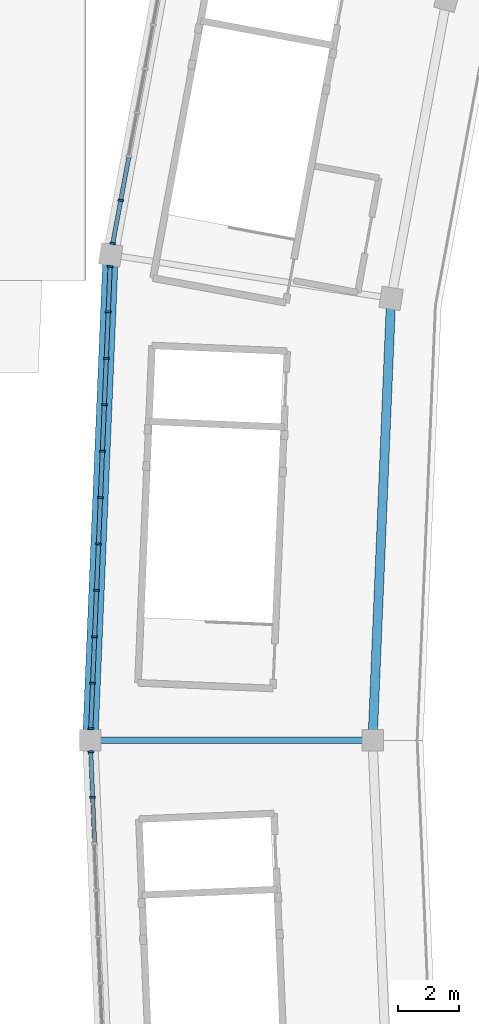
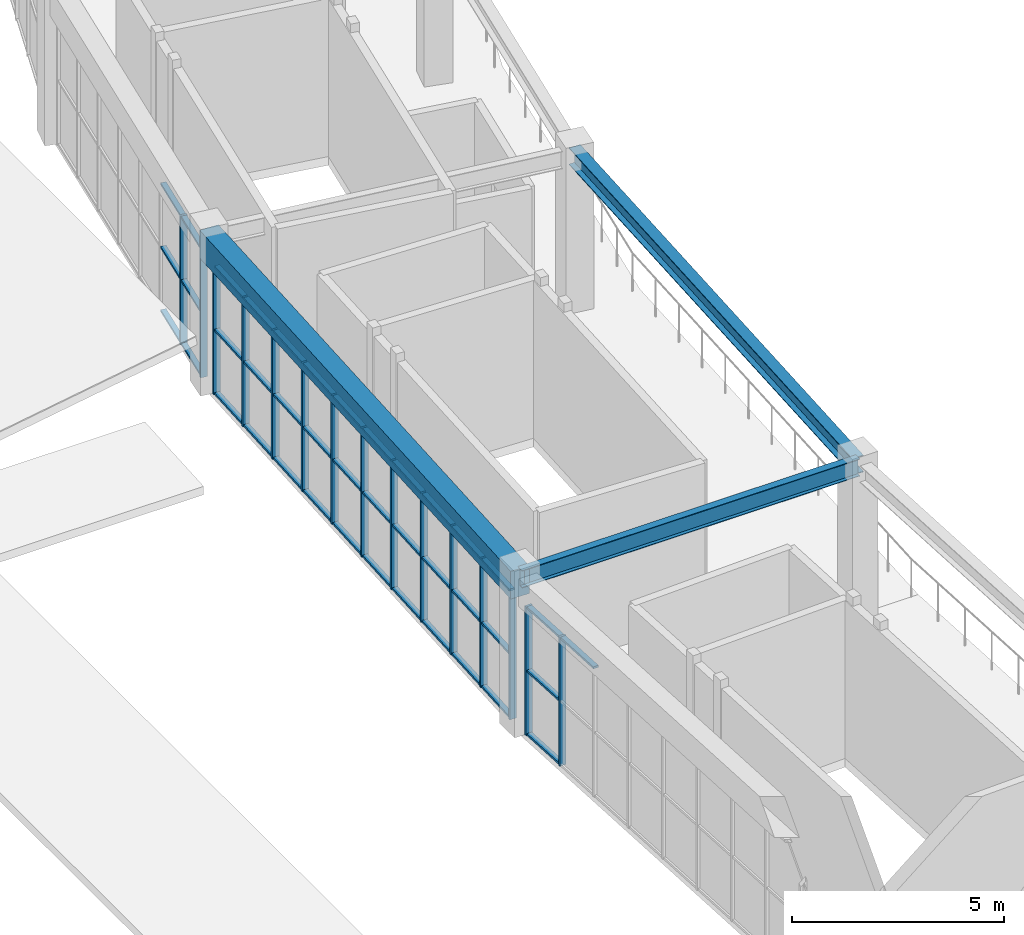
# One storey, part 20 of 45: 55 members, 3 beams, 3 elements without a shape of their own.
"""IFC4 building model written with IfcOpenShell, lengths in metres."""

import ifcopenshell
import ifcopenshell.guid

model = None  # the IFC model being written
_history = None  # IfcOwnerHistory: only IFC2X3 demands one
_inside = {}  # id of a spatial element -> (the spatial element, [elements in it])
_under = {}  # id of a project, library or spatial element -> (it, [spatial elements below it])
_declared = {}  # id of a project -> (the project, [libraries it declares])
_typed = {}  # id of a type object -> (the type object, [elements of that type])
_made_of = {}  # id of a material, layer set ... -> (it, [elements and type objects made of it])


def new_model(schema):
    """Start an empty IFC model of exactly this schema.

    Asked for "IFC4X3", IfcOpenShell would pick the latest addendum, in which some entities
    have other attributes; the version numbers below select the first issue.
    IFC2X3 requires an IfcOwnerHistory on every rooted entity: one is made here for all.
    """
    global model, _history
    if schema == "IFC4X3":
        model = ifcopenshell.file(schema_version=(4, 3, 0, 0))
    else:
        model = ifcopenshell.file(schema=schema)
    _inside.clear()
    _under.clear()
    _declared.clear()
    _typed.clear()
    _made_of.clear()
    _history = None
    if model.schema == "IFC2X3":
        org = make("IfcOrganization", Name="unknown")
        user = make(
            "IfcPersonAndOrganization",
            ThePerson=make("IfcPerson", FamilyName="unknown"),
            TheOrganization=org,
        )
        app = make(
            "IfcApplication",
            ApplicationDeveloper=org,
            Version="unknown",
            ApplicationFullName="unknown",
            ApplicationIdentifier="unknown",
        )
        _history = make(
            "IfcOwnerHistory",
            OwningUser=user,
            OwningApplication=app,
            ChangeAction="ADDED",
            CreationDate=0,
        )
    return model


def make(cls, **values):
    """One entity of the class cls with the attributes given. An attribute that is None is left unset."""
    return model.create_entity(
        cls, **{name: value for name, value in values.items() if value is not None}
    )


def rooted(cls, **values):
    """An entity with a GlobalId (a new one), such as an element, a storey or a relation."""
    return make(cls, GlobalId=ifcopenshell.guid.new(), OwnerHistory=_history, **values)


def si_unit(unit_type, name, prefix=None):
    """IfcSIUnit, for example si_unit("LENGTHUNIT", "METRE", prefix="MILLI")."""
    return make("IfcSIUnit", UnitType=unit_type, Prefix=prefix, Name=name)


def assignment(units):
    """IfcUnitAssignment: the units of a project."""
    return None if units is None else make("IfcUnitAssignment", Units=units)


def point(xyz):
    """IfcCartesianPoint."""
    return None if xyz is None else make("IfcCartesianPoint", Coordinates=xyz)


def direction(xyz):
    """IfcDirection."""
    return None if xyz is None else make("IfcDirection", DirectionRatios=xyz)


def frame(location, z_axis=None, x_axis=None):
    """IfcAxis2Placement3D, a coordinate frame: its origin and axes. An axis left out is left unset."""
    return make(
        "IfcAxis2Placement3D",
        Location=point(location),
        Axis=direction(z_axis),
        RefDirection=direction(x_axis),
    )


def frame_2d(location, x_axis=None):
    """IfcAxis2Placement2D, a coordinate frame in the plane: its origin and x axis."""
    return make(
        "IfcAxis2Placement2D", Location=point(location), RefDirection=direction(x_axis)
    )


def origin():
    """The frame at (0, 0, 0) with its axes left unset."""
    return frame((0.0, 0.0, 0.0))


def origin_2d():
    """The frame at (0, 0) in the plane with its x axis left unset."""
    return frame_2d((0.0, 0.0))


def place(relative_to, where):
    """IfcLocalPlacement: puts the frame where relative to a parent placement (None: the world)."""
    return make(
        "IfcLocalPlacement", PlacementRelTo=relative_to, RelativePlacement=where
    )


def context(
    kind, dimensions, precision=None, world=None, true_north=None, identifier=None
):
    """IfcGeometricRepresentationContext, for example the 3D "Model" context."""
    return make(
        "IfcGeometricRepresentationContext",
        ContextIdentifier=identifier,
        ContextType=kind,
        CoordinateSpaceDimension=dimensions,
        Precision=precision,
        WorldCoordinateSystem=world,
        TrueNorth=true_north,
    )


def subcontext(parent, identifier, kind, view, scale=None):
    """IfcGeometricRepresentationSubContext, for example "Body" below "Model"."""
    return make(
        "IfcGeometricRepresentationSubContext",
        ContextIdentifier=identifier,
        ContextType=kind,
        ParentContext=parent,
        TargetScale=scale,
        TargetView=view,
    )


def project(units=None, contexts=None):
    """IfcProject with its units and contexts."""
    return rooted(
        "IfcProject",
        Name="project",
        RepresentationContexts=contexts,
        UnitsInContext=assignment(units),
    )


def spatial(cls, under=None, at=None, **own):
    """A site, building, storey or space (cls), placed at a placement, below another one or the project."""
    s = rooted(cls, ObjectPlacement=at, **own)
    if under is not None:
        _under.setdefault(under.id(), (under, []))[1].append(s)
    return s


def profile(cls, at=None, kind="AREA", **sizes):
    """A parametric profile (cls). Its sizes go by their IFC names, for example OverallWidth=200.0."""
    return make(cls, ProfileType=kind, Position=at, **sizes)


def rectangle(**sizes):
    """IfcRectangleProfileDef."""
    return profile("IfcRectangleProfileDef", **sizes)


def i_section(**sizes):
    """IfcIShapeProfileDef."""
    return profile("IfcIShapeProfileDef", **sizes)


def extrude(swept, where, along, depth):
    """IfcExtrudedAreaSolid: the profile swept, set in the frame where, extruded along a direction by depth."""
    return make(
        "IfcExtrudedAreaSolid",
        SweptArea=swept,
        Position=where,
        ExtrudedDirection=direction(along),
        Depth=depth,
    )


def shape(context_of_items, identifier, shape_type, items):
    """IfcShapeRepresentation: the items that make up one representation, for example the "Body"."""
    return make(
        "IfcShapeRepresentation",
        ContextOfItems=context_of_items,
        RepresentationIdentifier=identifier,
        RepresentationType=shape_type,
        Items=items,
    )


def material(Name=None, Category=None):
    """IfcMaterial."""
    return make("IfcMaterial", Name=Name, Category=Category)


def layer(
    of_material, thickness, ventilated=None, Name=None, Category=None, Priority=None
):
    """IfcMaterialLayer: one layer of a wall or slab, of a material (None: an air gap)."""
    return make(
        "IfcMaterialLayer",
        Material=of_material,
        LayerThickness=thickness,
        IsVentilated=ventilated,
        Name=Name,
        Category=Category,
        Priority=Priority,
    )


def layer_set(layers, Name=None):
    """IfcMaterialLayerSet."""
    return make("IfcMaterialLayerSet", MaterialLayers=layers, LayerSetName=Name)


def material_profile(
    of_material, cross_section, Name=None, Category=None, Priority=None
):
    """IfcMaterialProfile: a cross section and its material."""
    return make(
        "IfcMaterialProfile",
        Name=Name,
        Material=of_material,
        Profile=cross_section,
        Priority=Priority,
        Category=Category,
    )


def profile_set(profiles, Name=None, composite=None):
    """IfcMaterialProfileSet."""
    return make(
        "IfcMaterialProfileSet",
        Name=Name,
        MaterialProfiles=profiles,
        CompositeProfile=composite,
    )


def made_of(thing, what):
    """Note that an element or type object is made of a material, layer set ...; save() writes the relation."""
    if what is not None:
        _made_of.setdefault(what.id(), (what, []))[1].append(thing)
    return thing


def type_object(cls, material=None, **own):
    """A type object (cls), such as IfcWallType, which elements share."""
    return made_of(rooted(cls, **own), material)


def element(
    cls,
    number,
    at=None,
    inside=None,
    cuts=None,
    type_object=None,
    material=None,
    context=None,
    identifier="Body",
    shape_type=None,
    held_by="IfcProductDefinitionShape",
    body=None,
    shapes=None,
    **own,
):
    """One element of the class cls, such as IfcWall. Its Tag is "e" and its number.

    at: its placement. inside: the storey or other place that contains it. cuts: it is an
    opening in that element (IfcRelVoidsElement). A single representation is given by context,
    identifier, shape_type and body (its items); several are given by shapes. held_by: the class
    of the entity that holds the representations. save() writes the other relations.
    """
    e = rooted(cls, Tag="e%d" % number, ObjectPlacement=at, **own)
    if body is not None:
        shapes = [shape(context, identifier, shape_type, body)]
    if shapes is not None:
        e.Representation = make(held_by, Representations=shapes)
    if inside is not None:
        _inside.setdefault(inside.id(), (inside, []))[1].append(e)
    if cuts is not None:
        rooted(
            "IfcRelVoidsElement", RelatingBuildingElement=cuts, RelatedOpeningElement=e
        )
    if type_object is not None:
        _typed.setdefault(type_object.id(), (type_object, []))[1].append(e)
    return made_of(e, material)


def aggregate(whole, parts):
    """IfcRelAggregates: a whole, such as a stair, and the parts it consists of."""
    return rooted("IfcRelAggregates", RelatingObject=whole, RelatedObjects=parts)


def save(model, path):
    """Write the relations noted so far, then the file.

    IfcRelAggregates (storeys below a building ...), IfcRelContainedInSpatialStructure (elements
    in a storey), IfcRelDefinesByType, IfcRelAssociatesMaterial and IfcRelDeclares: one each for
    every whole, place, type object, material and project.
    """
    for whole, parts in _under.values():
        aggregate(whole, parts)
    for where, things in _inside.values():
        rooted(
            "IfcRelContainedInSpatialStructure",
            RelatedElements=things,
            RelatingStructure=where,
        )
    for kind, things in _typed.values():
        rooted("IfcRelDefinesByType", RelatedObjects=things, RelatingType=kind)
    for what, things in _made_of.values():
        rooted("IfcRelAssociatesMaterial", RelatedObjects=things, RelatingMaterial=what)
    for by, libraries in _declared.values():
        rooted("IfcRelDeclares", RelatingContext=by, RelatedDefinitions=libraries)
    model.write(path)


model = new_model("IFC4")

# Units and contexts
model_context = context("Model", 3, precision=1e-05, world=origin(), true_north=direction((0.0, 1.0)))
body_context = subcontext(model_context, "Body", "Model", "MODEL_VIEW")
ifc_project = project(units=[si_unit("LENGTHUNIT", "METRE"), si_unit("AREAUNIT", "SQUARE_METRE"), si_unit("VOLUMEUNIT", "CUBIC_METRE"), si_unit("PLANEANGLEUNIT", "RADIAN"), si_unit("MASSUNIT", "GRAM", prefix="KILO")], contexts=[model_context])

# Site, building, storey
site_placement = place(None, origin())
site = spatial("IfcSite", under=ifc_project, at=site_placement, CompositionType="ELEMENT")
building_placement = place(site_placement, origin())
building = spatial("IfcBuilding", under=site, at=building_placement, Name="Mphavela Belvedere Stadium", CompositionType="ELEMENT")
storey_placement = place(building_placement, frame((0.0, 0.0, 24.0)))
storey = spatial("IfcBuildingStorey", under=building, at=storey_placement, Name="L05", CompositionType="ELEMENT", Elevation=24.0)

# Beams
ifc_material_1 = material(Name="Concrete C40/50", Category="concrete")
ifc_material_profile_1 = material_profile(ifc_material_1, rectangle(XDim=0.5, YDim=0.800048828125, at=origin_2d()), Name="RC 500x800")
ifc_profile_set_1 = profile_set([ifc_material_profile_1], Name="Concrete C40/50")
beam_type_1 = type_object("IfcBeamType", Name="BM-SPANDREL-800", PredefinedType="SPANDREL", material=ifc_profile_set_1)
beam_1_placement = place(storey_placement, frame((12.844482421875, 102.844970703125, 4.14990234375), z_axis=(-0.041903963155, -0.999121643181, 0.0), x_axis=(0.999121643181, -0.041903963155, 0.0)))
element("IfcBeam", 1, at=beam_1_placement, inside=storey, type_object=beam_type_1, Name="Circumferential girder L05 R4-24", PredefinedType="SPANDREL", context=body_context, shape_type="SweptSolid", body=[
    extrude(rectangle(XDim=0.5, YDim=0.800048828125, at=origin_2d()), origin(), (0.0, 0.0, 1.0), 15.85888671875),
])
ifc_material_2 = material(Name="Steel S355", Category="steel")
ifc_material_profile_2 = material_profile(ifc_material_2, i_section(OverallWidth=0.300048828125, OverallDepth=0.489990234375, WebThickness=0.011962890625, FlangeThickness=0.02294921875, at=origin_2d()), Name="HEA 500")
ifc_profile_set_2 = profile_set([ifc_material_profile_2], Name="Steel S355")
beam_type_2 = type_object("IfcBeamType", Name="BM-STEEL-HEA500", PredefinedType="BEAM", material=ifc_profile_set_2)
beam_2_placement = place(storey_placement, frame((22.0, 101.4248046875, 4.304931640625), z_axis=(-0.041903450766, -0.99912166467, 0.0), x_axis=(0.99912166467, -0.041903450766, 0.0)))
element("IfcBeam", 2, at=beam_2_placement, inside=storey, type_object=beam_type_2, Name="Circumferential girder L05 R3-24", PredefinedType="BEAM", context=body_context, shape_type="SweptSolid", body=[
    extrude(i_section(OverallWidth=0.300048828125, OverallDepth=0.489990234375, WebThickness=0.011962890625, FlangeThickness=0.02294921875, at=origin_2d()), origin(), (0.0, 0.0, 1.0), 14.4375),
])
ifc_material_3 = material(Name="Steel S355", Category="steel")
ifc_material_profile_3 = material_profile(ifc_material_3, i_section(OverallWidth=0.199951171875, OverallDepth=0.5, WebThickness=0.01025390625, FlangeThickness=0.01611328125, at=origin_2d()), Name="IPE 500")
ifc_profile_set_3 = profile_set([ifc_material_profile_3], Name="Steel S355")
beam_type_3 = type_object("IfcBeamType", Name="BM-STEEL-IPE500", PredefinedType="BEAM", material=ifc_profile_set_3)
beam_3_placement = place(storey_placement, frame((21.39501953125, 87.0, 4.300048828125), z_axis=(-1.0, 0.0, 0.0), x_axis=(0.0, -1.0, 0.0)))
element("IfcBeam", 3, at=beam_3_placement, inside=storey, type_object=beam_type_3, Name="Radial concourse girder L05 R3R4-25", PredefinedType="BEAM", context=body_context, shape_type="SweptSolid", body=[
    extrude(i_section(OverallWidth=0.199951171875, OverallDepth=0.5, WebThickness=0.01025390625, FlangeThickness=0.01611328125, at=origin_2d()), origin(), (0.0, 0.0, 1.0), 9.215087890625),
])

# Curtain wall, members
ifc_material_4 = material(Name="Anodised bronze unitised curtain wall framing")
ifc_layer_1 = layer(ifc_material_4, 0.199951171875)
ifc_layer_set_1 = layer_set([ifc_layer_1], Name="Anodised bronze unitised curtain wall framing")
curtain_wall_type_1 = type_object("IfcCurtainWallType", Name="CW-UNIT-05", PredefinedType="USERDEFINED", material=ifc_layer_set_1)
curtain_wall_1_placement = place(storey_placement, origin())
curtain_wall_1 = element("IfcCurtainWall", 4, at=curtain_wall_1_placement, inside=storey, type_object=curtain_wall_type_1, Name="Belvedere colonnade curtain wall L05-23", ObjectType="UNITISED CURTAIN WALL", PredefinedType="USERDEFINED")
ifc_material_5 = material(Name="Anodised bronze extruded aluminium", Category="aluminium")
ifc_material_profile_4 = material_profile(ifc_material_5, rectangle(XDim=0.179931640625, YDim=0.06494140625, at=origin_2d()), Name="CW-MUL 180x65")
ifc_profile_set_4 = profile_set([ifc_material_profile_4], Name="Anodised bronze extruded aluminium")
member_type_1 = type_object("IfcMemberType", Name="CWM-180x65", PredefinedType="MULLION", material=ifc_profile_set_4)
member_1_placement = place(storey_placement, frame((13.17431640625, 104.620361328125, 0.0), z_axis=(0.0, 0.0, 1.0), x_axis=(0.98318393569, -0.182618040183, 0.0)))
member_1 = element("IfcMember", 5, at=member_1_placement, type_object=member_type_1, Name="CW-05 mullion 7", PredefinedType="MULLION", context=body_context, shape_type="SweptSolid", body=[
    extrude(rectangle(XDim=0.179931640625, YDim=0.06494140625, at=origin_2d()), origin(), (0.0, 0.0, 1.0), 3.719970703125),
])
member_2_placement = place(storey_placement, frame((12.9140625, 103.218994140625, 0.0), z_axis=(0.0, 0.0, 1.0), x_axis=(0.98318393569, -0.182618040183, 0.0)))
member_2 = element("IfcMember", 6, at=member_2_placement, type_object=member_type_1, Name="CW-05 mullion 8", PredefinedType="MULLION", context=body_context, shape_type="SweptSolid", body=[
    extrude(rectangle(XDim=0.179931640625, YDim=0.06494140625, at=origin_2d()), origin(), (0.0, 0.0, 1.0), 3.719970703125),
])

ifc_material_6 = material(Name="Anodised bronze unitised curtain wall framing")
ifc_layer_2 = layer(ifc_material_6, 0.205078125)
ifc_layer_set_2 = layer_set([ifc_layer_2], Name="Anodised bronze unitised curtain wall framing")
curtain_wall_type_2 = type_object("IfcCurtainWallType", Name="CW-UNIT-06", PredefinedType="USERDEFINED", material=ifc_layer_set_2)
curtain_wall_2_placement = place(storey_placement, origin())
curtain_wall_2 = element("IfcCurtainWall", 7, at=curtain_wall_2_placement, inside=storey, type_object=curtain_wall_type_2, Name="Belvedere colonnade curtain wall L05-24", ObjectType="UNITISED CURTAIN WALL", PredefinedType="USERDEFINED")
member_3_placement = place(storey_placement, frame((12.82861328125, 102.46484375, 0.0), z_axis=(0.0, 0.0, 1.0), x_axis=(0.999121605563, -0.041904860066, 0.0)))
member_3 = element("IfcMember", 8, at=member_3_placement, type_object=member_type_1, Name="CW-06 mullion 1", PredefinedType="MULLION", context=body_context, shape_type="SweptSolid", body=[
    extrude(rectangle(XDim=0.179931640625, YDim=0.06494140625, at=origin_2d()), origin(), (0.0, 0.0, 1.0), 3.719970703125),
])
member_4_placement = place(storey_placement, frame((12.766357421875, 100.982421875, 0.0), z_axis=(0.0, 0.0, 1.0), x_axis=(0.999121605563, -0.041904860066, 0.0)))
member_4 = element("IfcMember", 9, at=member_4_placement, type_object=member_type_1, Name="CW-06 mullion 2", PredefinedType="MULLION", context=body_context, shape_type="SweptSolid", body=[
    extrude(rectangle(XDim=0.179931640625, YDim=0.06494140625, at=origin_2d()), origin(), (0.0, 0.0, 1.0), 3.719970703125),
])
member_5_placement = place(storey_placement, frame((12.702880859375, 99.46728515625, 0.0), z_axis=(0.0, 0.0, 1.0), x_axis=(0.999121605563, -0.041904860066, 0.0)))
member_5 = element("IfcMember", 10, at=member_5_placement, type_object=member_type_1, Name="CW-06 mullion 3", PredefinedType="MULLION", context=body_context, shape_type="SweptSolid", body=[
    extrude(rectangle(XDim=0.179931640625, YDim=0.06494140625, at=origin_2d()), origin(), (0.0, 0.0, 1.0), 3.719970703125),
])
member_6_placement = place(storey_placement, frame((12.639404296875, 97.952392578125, 0.0), z_axis=(0.0, 0.0, 1.0), x_axis=(0.999121605563, -0.041904860066, 0.0)))
member_6 = element("IfcMember", 11, at=member_6_placement, type_object=member_type_1, Name="CW-06 mullion 4", PredefinedType="MULLION", context=body_context, shape_type="SweptSolid", body=[
    extrude(rectangle(XDim=0.179931640625, YDim=0.06494140625, at=origin_2d()), origin(), (0.0, 0.0, 1.0), 3.719970703125),
])
member_7_placement = place(storey_placement, frame((12.575927734375, 96.4375, 0.0), z_axis=(0.0, 0.0, 1.0), x_axis=(0.999121605563, -0.041904860066, 0.0)))
member_7 = element("IfcMember", 12, at=member_7_placement, type_object=member_type_1, Name="CW-06 mullion 5", PredefinedType="MULLION", context=body_context, shape_type="SweptSolid", body=[
    extrude(rectangle(XDim=0.179931640625, YDim=0.06494140625, at=origin_2d()), origin(), (0.0, 0.0, 1.0), 3.719970703125),
])
member_8_placement = place(storey_placement, frame((12.51220703125, 94.922607421875, 0.0), z_axis=(0.0, 0.0, 1.0), x_axis=(0.999121605563, -0.041904860066, 0.0)))
member_8 = element("IfcMember", 13, at=member_8_placement, type_object=member_type_1, Name="CW-06 mullion 6", PredefinedType="MULLION", context=body_context, shape_type="SweptSolid", body=[
    extrude(rectangle(XDim=0.179931640625, YDim=0.06494140625, at=origin_2d()), origin(), (0.0, 0.0, 1.0), 3.719970703125),
])
member_9_placement = place(storey_placement, frame((12.44873046875, 93.407470703125, 0.0), z_axis=(0.0, 0.0, 1.0), x_axis=(0.999121605563, -0.041904860066, 0.0)))
member_9 = element("IfcMember", 14, at=member_9_placement, type_object=member_type_1, Name="CW-06 mullion 7", PredefinedType="MULLION", context=body_context, shape_type="SweptSolid", body=[
    extrude(rectangle(XDim=0.179931640625, YDim=0.06494140625, at=origin_2d()), origin(), (0.0, 0.0, 1.0), 3.719970703125),
])
member_10_placement = place(storey_placement, frame((12.38525390625, 91.892578125, 0.0), z_axis=(0.0, 0.0, 1.0), x_axis=(0.999121605563, -0.041904860066, 0.0)))
member_10 = element("IfcMember", 15, at=member_10_placement, type_object=member_type_1, Name="CW-06 mullion 8", PredefinedType="MULLION", context=body_context, shape_type="SweptSolid", body=[
    extrude(rectangle(XDim=0.179931640625, YDim=0.06494140625, at=origin_2d()), origin(), (0.0, 0.0, 1.0), 3.719970703125),
])
member_11_placement = place(storey_placement, frame((12.32177734375, 90.377685546875, 0.0), z_axis=(0.0, 0.0, 1.0), x_axis=(0.999121605563, -0.041904860066, 0.0)))
member_11 = element("IfcMember", 16, at=member_11_placement, type_object=member_type_1, Name="CW-06 mullion 9", PredefinedType="MULLION", context=body_context, shape_type="SweptSolid", body=[
    extrude(rectangle(XDim=0.179931640625, YDim=0.06494140625, at=origin_2d()), origin(), (0.0, 0.0, 1.0), 3.719970703125),
])
member_12_placement = place(storey_placement, frame((12.258056640625, 88.862548828125, 0.0), z_axis=(0.0, 0.0, 1.0), x_axis=(0.999121605563, -0.041904860066, 0.0)))
member_12 = element("IfcMember", 17, at=member_12_placement, type_object=member_type_1, Name="CW-06 mullion 10", PredefinedType="MULLION", context=body_context, shape_type="SweptSolid", body=[
    extrude(rectangle(XDim=0.179931640625, YDim=0.06494140625, at=origin_2d()), origin(), (0.0, 0.0, 1.0), 3.719970703125),
])
member_13_placement = place(storey_placement, frame((12.196044921875, 87.380126953125, 0.0), z_axis=(0.0, 0.0, 1.0), x_axis=(0.999121605563, -0.041904860066, 0.0)))
member_13 = element("IfcMember", 18, at=member_13_placement, type_object=member_type_1, Name="CW-06 mullion 11", PredefinedType="MULLION", context=body_context, shape_type="SweptSolid", body=[
    extrude(rectangle(XDim=0.179931640625, YDim=0.06494140625, at=origin_2d()), origin(), (0.0, 0.0, 1.0), 3.719970703125),
])

ifc_material_7 = material(Name="Anodised bronze unitised curtain wall framing")
ifc_layer_3 = layer(ifc_material_7, 0.179931640625)
ifc_layer_set_3 = layer_set([ifc_layer_3], Name="Anodised bronze unitised curtain wall framing")
curtain_wall_type_3 = type_object("IfcCurtainWallType", Name="CW-UNIT-01", PredefinedType="USERDEFINED", material=ifc_layer_set_3)
curtain_wall_3_placement = place(storey_placement, origin())
curtain_wall_3 = element("IfcCurtainWall", 19, at=curtain_wall_3_placement, inside=storey, type_object=curtain_wall_type_3, Name="Belvedere colonnade curtain wall L05-25", ObjectType="UNITISED CURTAIN WALL", PredefinedType="USERDEFINED")
member_14_placement = place(storey_placement, frame((12.196044921875, 86.619873046875, 0.0), z_axis=(0.0, 0.0, 1.0), x_axis=(0.999121605563, 0.041904860066, 0.0)))
member_14 = element("IfcMember", 20, at=member_14_placement, type_object=member_type_1, Name="CW-01 mullion 1", PredefinedType="MULLION", context=body_context, shape_type="SweptSolid", body=[
    extrude(rectangle(XDim=0.179931640625, YDim=0.06494140625, at=origin_2d()), origin(), (0.0, 0.0, 1.0), 3.719970703125),
])
member_15_placement = place(storey_placement, frame((12.258056640625, 85.137451171875, 0.0), z_axis=(0.0, 0.0, 1.0), x_axis=(0.999121605563, 0.041904860066, 0.0)))
member_15 = element("IfcMember", 21, at=member_15_placement, type_object=member_type_1, Name="CW-01 mullion 2", PredefinedType="MULLION", context=body_context, shape_type="SweptSolid", body=[
    extrude(rectangle(XDim=0.179931640625, YDim=0.06494140625, at=origin_2d()), origin(), (0.0, 0.0, 1.0), 3.719970703125),
])

# Member
ifc_material_8 = material(Name="Anodised bronze extruded aluminium", Category="aluminium")
ifc_material_profile_5 = material_profile(ifc_material_8, rectangle(XDim=0.139892578125, YDim=0.06005859375, at=origin_2d()), Name="CW-TRN 140x60")
ifc_profile_set_5 = profile_set([ifc_material_profile_5], Name="Anodised bronze extruded aluminium")
member_type_2 = type_object("IfcMemberType", Name="CWT-140x60", PredefinedType="USERDEFINED", material=ifc_profile_set_5)
member_16_placement = place(storey_placement, frame((13.434814453125, 106.021728515625, 0.030029296875), z_axis=(-0.1826478673, -0.98317839509, 0.0), x_axis=(0.98317839509, -0.1826478673, 0.0)))
member_16 = element("IfcMember", 22, at=member_16_placement, type_object=member_type_2, Name="CW-05 transom 6.1", ObjectType="TRANSOM", PredefinedType="USERDEFINED", context=body_context, shape_type="SweptSolid", body=[
    extrude(rectangle(XDim=0.139892578125, YDim=0.06005859375, at=origin_2d()), origin(), (0.0, 0.0, 1.0), 1.392822265625),
])

member_17_placement = place(storey_placement, frame((13.434814453125, 106.021728515625, 1.860107421875), z_axis=(-0.1826478673, -0.98317839509, 0.0), x_axis=(0.98317839509, -0.1826478673, 0.0)))
member_17 = element("IfcMember", 23, at=member_17_placement, type_object=member_type_2, Name="CW-05 transom 6.2", ObjectType="TRANSOM", PredefinedType="USERDEFINED", context=body_context, shape_type="SweptSolid", body=[
    extrude(rectangle(XDim=0.139892578125, YDim=0.06005859375, at=origin_2d()), origin(), (0.0, 0.0, 1.0), 1.392822265625),
])

member_18_placement = place(storey_placement, frame((13.434814453125, 106.021728515625, 3.68994140625), z_axis=(-0.1826478673, -0.98317839509, 0.0), x_axis=(0.98317839509, -0.1826478673, 0.0)))
member_18 = element("IfcMember", 24, at=member_18_placement, type_object=member_type_2, Name="CW-05 transom 6.3", ObjectType="TRANSOM", PredefinedType="USERDEFINED", context=body_context, shape_type="SweptSolid", body=[
    extrude(rectangle(XDim=0.139892578125, YDim=0.06005859375, at=origin_2d()), origin(), (0.0, 0.0, 1.0), 1.392822265625),
])

member_19_placement = place(storey_placement, frame((13.16845703125, 104.58837890625, 0.030029296875), z_axis=(-0.182532708609, -0.983199781473, 0.0), x_axis=(0.983199781473, -0.182532708609, 0.0)))
member_19 = element("IfcMember", 25, at=member_19_placement, type_object=member_type_2, Name="CW-05 transom 7.1", ObjectType="TRANSOM", PredefinedType="USERDEFINED", context=body_context, shape_type="SweptSolid", body=[
    extrude(rectangle(XDim=0.139892578125, YDim=0.06005859375, at=origin_2d()), origin(), (0.0, 0.0, 1.0), 1.3603515625),
])

member_20_placement = place(storey_placement, frame((13.16845703125, 104.58837890625, 1.860107421875), z_axis=(-0.182532708609, -0.983199781473, 0.0), x_axis=(0.983199781473, -0.182532708609, 0.0)))
member_20 = element("IfcMember", 26, at=member_20_placement, type_object=member_type_2, Name="CW-05 transom 7.2", ObjectType="TRANSOM", PredefinedType="USERDEFINED", context=body_context, shape_type="SweptSolid", body=[
    extrude(rectangle(XDim=0.139892578125, YDim=0.06005859375, at=origin_2d()), origin(), (0.0, 0.0, 1.0), 1.3603515625),
])

member_21_placement = place(storey_placement, frame((13.16845703125, 104.58837890625, 3.68994140625), z_axis=(-0.182532708609, -0.983199781473, 0.0), x_axis=(0.983199781473, -0.182532708609, 0.0)))
member_21 = element("IfcMember", 27, at=member_21_placement, type_object=member_type_2, Name="CW-05 transom 7.3", ObjectType="TRANSOM", PredefinedType="USERDEFINED", context=body_context, shape_type="SweptSolid", body=[
    extrude(rectangle(XDim=0.139892578125, YDim=0.06005859375, at=origin_2d()), origin(), (0.0, 0.0, 1.0), 1.3603515625),
])

aggregate(curtain_wall_1, [member_1, member_2, member_16, member_17, member_18, member_19, member_20, member_21])

member_22_placement = place(storey_placement, frame((12.827392578125, 102.432373046875, 0.030029296875), z_axis=(-0.041988428468, -0.999118097061, 0.0), x_axis=(0.999118097061, -0.041988428468, 0.0)))
member_22 = element("IfcMember", 28, at=member_22_placement, type_object=member_type_2, Name="CW-06 transom 1.1", ObjectType="TRANSOM", PredefinedType="USERDEFINED", context=body_context, shape_type="SweptSolid", body=[
    extrude(rectangle(XDim=0.139892578125, YDim=0.06005859375, at=origin_2d()), origin(), (0.0, 0.0, 1.0), 1.418701171875),
])

member_23_placement = place(storey_placement, frame((12.827392578125, 102.432373046875, 1.860107421875), z_axis=(-0.041988428468, -0.999118097061, 0.0), x_axis=(0.999118097061, -0.041988428468, 0.0)))
member_23 = element("IfcMember", 29, at=member_23_placement, type_object=member_type_2, Name="CW-06 transom 1.2", ObjectType="TRANSOM", PredefinedType="USERDEFINED", context=body_context, shape_type="SweptSolid", body=[
    extrude(rectangle(XDim=0.139892578125, YDim=0.06005859375, at=origin_2d()), origin(), (0.0, 0.0, 1.0), 1.418701171875),
])

member_24_placement = place(storey_placement, frame((12.827392578125, 102.432373046875, 3.68994140625), z_axis=(-0.041988428468, -0.999118097061, 0.0), x_axis=(0.999118097061, -0.041988428468, 0.0)))
member_24 = element("IfcMember", 30, at=member_24_placement, type_object=member_type_2, Name="CW-06 transom 1.3", ObjectType="TRANSOM", PredefinedType="USERDEFINED", context=body_context, shape_type="SweptSolid", body=[
    extrude(rectangle(XDim=0.139892578125, YDim=0.06005859375, at=origin_2d()), origin(), (0.0, 0.0, 1.0), 1.418701171875),
])

member_25_placement = place(storey_placement, frame((12.76513671875, 100.949951171875, 0.030029296875), z_axis=(-0.041882409795, -0.999122546913, 0.0), x_axis=(0.999122546913, -0.041882409795, 0.0)))
member_25 = element("IfcMember", 31, at=member_25_placement, type_object=member_type_2, Name="CW-06 transom 2.1", ObjectType="TRANSOM", PredefinedType="USERDEFINED", context=body_context, shape_type="SweptSolid", body=[
    extrude(rectangle(XDim=0.139892578125, YDim=0.06005859375, at=origin_2d()), origin(), (0.0, 0.0, 1.0), 1.451416015625),
])

member_26_placement = place(storey_placement, frame((12.76513671875, 100.949951171875, 1.860107421875), z_axis=(-0.041882409795, -0.999122546913, 0.0), x_axis=(0.999122546913, -0.041882409795, 0.0)))
member_26 = element("IfcMember", 32, at=member_26_placement, type_object=member_type_2, Name="CW-06 transom 2.2", ObjectType="TRANSOM", PredefinedType="USERDEFINED", context=body_context, shape_type="SweptSolid", body=[
    extrude(rectangle(XDim=0.139892578125, YDim=0.06005859375, at=origin_2d()), origin(), (0.0, 0.0, 1.0), 1.451416015625),
])

member_27_placement = place(storey_placement, frame((12.76513671875, 100.949951171875, 3.68994140625), z_axis=(-0.041882409795, -0.999122546913, 0.0), x_axis=(0.999122546913, -0.041882409795, 0.0)))
member_27 = element("IfcMember", 33, at=member_27_placement, type_object=member_type_2, Name="CW-06 transom 2.3", ObjectType="TRANSOM", PredefinedType="USERDEFINED", context=body_context, shape_type="SweptSolid", body=[
    extrude(rectangle(XDim=0.139892578125, YDim=0.06005859375, at=origin_2d()), origin(), (0.0, 0.0, 1.0), 1.451416015625),
])

member_28_placement = place(storey_placement, frame((12.70166015625, 99.434814453125, 0.030029296875), z_axis=(-0.042057383264, -0.999115196818, 0.0), x_axis=(0.999115196818, -0.042057383264, 0.0)))
member_28 = element("IfcMember", 34, at=member_28_placement, type_object=member_type_2, Name="CW-06 transom 3.1", ObjectType="TRANSOM", PredefinedType="USERDEFINED", context=body_context, shape_type="SweptSolid", body=[
    extrude(rectangle(XDim=0.139892578125, YDim=0.06005859375, at=origin_2d()), origin(), (0.0, 0.0, 1.0), 1.451171875),
])

member_29_placement = place(storey_placement, frame((12.70166015625, 99.434814453125, 1.860107421875), z_axis=(-0.042057383264, -0.999115196818, 0.0), x_axis=(0.999115196818, -0.042057383264, 0.0)))
member_29 = element("IfcMember", 35, at=member_29_placement, type_object=member_type_2, Name="CW-06 transom 3.2", ObjectType="TRANSOM", PredefinedType="USERDEFINED", context=body_context, shape_type="SweptSolid", body=[
    extrude(rectangle(XDim=0.139892578125, YDim=0.06005859375, at=origin_2d()), origin(), (0.0, 0.0, 1.0), 1.451171875),
])

member_30_placement = place(storey_placement, frame((12.70166015625, 99.434814453125, 3.68994140625), z_axis=(-0.042057383264, -0.999115196818, 0.0), x_axis=(0.999115196818, -0.042057383264, 0.0)))
member_30 = element("IfcMember", 36, at=member_30_placement, type_object=member_type_2, Name="CW-06 transom 3.3", ObjectType="TRANSOM", PredefinedType="USERDEFINED", context=body_context, shape_type="SweptSolid", body=[
    extrude(rectangle(XDim=0.139892578125, YDim=0.06005859375, at=origin_2d()), origin(), (0.0, 0.0, 1.0), 1.451171875),
])

member_31_placement = place(storey_placement, frame((12.637939453125, 97.919921875, 0.030029296875), z_axis=(-0.041889449519, -0.999122251789, 0.0), x_axis=(0.999122251789, -0.041889449519, 0.0)))
member_31 = element("IfcMember", 37, at=member_31_placement, type_object=member_type_2, Name="CW-06 transom 4.1", ObjectType="TRANSOM", PredefinedType="USERDEFINED", context=body_context, shape_type="SweptSolid", body=[
    extrude(rectangle(XDim=0.139892578125, YDim=0.06005859375, at=origin_2d()), origin(), (0.0, 0.0, 1.0), 1.451171875),
])

member_32_placement = place(storey_placement, frame((12.637939453125, 97.919921875, 1.860107421875), z_axis=(-0.041889449519, -0.999122251789, 0.0), x_axis=(0.999122251789, -0.041889449519, 0.0)))
member_32 = element("IfcMember", 38, at=member_32_placement, type_object=member_type_2, Name="CW-06 transom 4.2", ObjectType="TRANSOM", PredefinedType="USERDEFINED", context=body_context, shape_type="SweptSolid", body=[
    extrude(rectangle(XDim=0.139892578125, YDim=0.06005859375, at=origin_2d()), origin(), (0.0, 0.0, 1.0), 1.451171875),
])

member_33_placement = place(storey_placement, frame((12.637939453125, 97.919921875, 3.68994140625), z_axis=(-0.041889449519, -0.999122251789, 0.0), x_axis=(0.999122251789, -0.041889449519, 0.0)))
member_33 = element("IfcMember", 39, at=member_33_placement, type_object=member_type_2, Name="CW-06 transom 4.3", ObjectType="TRANSOM", PredefinedType="USERDEFINED", context=body_context, shape_type="SweptSolid", body=[
    extrude(rectangle(XDim=0.139892578125, YDim=0.06005859375, at=origin_2d()), origin(), (0.0, 0.0, 1.0), 1.451171875),
])

member_34_placement = place(storey_placement, frame((12.574462890625, 96.405029296875, 0.030029296875), z_axis=(-0.041889449519, -0.999122251789, 0.0), x_axis=(0.999122251789, -0.041889449519, 0.0)))
member_34 = element("IfcMember", 40, at=member_34_placement, type_object=member_type_2, Name="CW-06 transom 5.1", ObjectType="TRANSOM", PredefinedType="USERDEFINED", context=body_context, shape_type="SweptSolid", body=[
    extrude(rectangle(XDim=0.139892578125, YDim=0.06005859375, at=origin_2d()), origin(), (0.0, 0.0, 1.0), 1.451171875),
])

member_35_placement = place(storey_placement, frame((12.574462890625, 96.405029296875, 1.860107421875), z_axis=(-0.041889449519, -0.999122251789, 0.0), x_axis=(0.999122251789, -0.041889449519, 0.0)))
member_35 = element("IfcMember", 41, at=member_35_placement, type_object=member_type_2, Name="CW-06 transom 5.2", ObjectType="TRANSOM", PredefinedType="USERDEFINED", context=body_context, shape_type="SweptSolid", body=[
    extrude(rectangle(XDim=0.139892578125, YDim=0.06005859375, at=origin_2d()), origin(), (0.0, 0.0, 1.0), 1.451171875),
])

member_36_placement = place(storey_placement, frame((12.574462890625, 96.405029296875, 3.68994140625), z_axis=(-0.041889449519, -0.999122251789, 0.0), x_axis=(0.999122251789, -0.041889449519, 0.0)))
member_36 = element("IfcMember", 42, at=member_36_placement, type_object=member_type_2, Name="CW-06 transom 5.3", ObjectType="TRANSOM", PredefinedType="USERDEFINED", context=body_context, shape_type="SweptSolid", body=[
    extrude(rectangle(XDim=0.139892578125, YDim=0.06005859375, at=origin_2d()), origin(), (0.0, 0.0, 1.0), 1.451171875),
])

member_37_placement = place(storey_placement, frame((12.510986328125, 94.89013671875, 0.030029296875), z_axis=(-0.041882409795, -0.999122546913, 0.0), x_axis=(0.999122546913, -0.041882409795, 0.0)))
member_37 = element("IfcMember", 43, at=member_37_placement, type_object=member_type_2, Name="CW-06 transom 6.1", ObjectType="TRANSOM", PredefinedType="USERDEFINED", context=body_context, shape_type="SweptSolid", body=[
    extrude(rectangle(XDim=0.139892578125, YDim=0.06005859375, at=origin_2d()), origin(), (0.0, 0.0, 1.0), 1.451416015625),
])

member_38_placement = place(storey_placement, frame((12.510986328125, 94.89013671875, 1.860107421875), z_axis=(-0.041882409795, -0.999122546913, 0.0), x_axis=(0.999122546913, -0.041882409795, 0.0)))
member_38 = element("IfcMember", 44, at=member_38_placement, type_object=member_type_2, Name="CW-06 transom 6.2", ObjectType="TRANSOM", PredefinedType="USERDEFINED", context=body_context, shape_type="SweptSolid", body=[
    extrude(rectangle(XDim=0.139892578125, YDim=0.06005859375, at=origin_2d()), origin(), (0.0, 0.0, 1.0), 1.451416015625),
])

member_39_placement = place(storey_placement, frame((12.510986328125, 94.89013671875, 3.68994140625), z_axis=(-0.041882409795, -0.999122546913, 0.0), x_axis=(0.999122546913, -0.041882409795, 0.0)))
member_39 = element("IfcMember", 45, at=member_39_placement, type_object=member_type_2, Name="CW-06 transom 6.3", ObjectType="TRANSOM", PredefinedType="USERDEFINED", context=body_context, shape_type="SweptSolid", body=[
    extrude(rectangle(XDim=0.139892578125, YDim=0.06005859375, at=origin_2d()), origin(), (0.0, 0.0, 1.0), 1.451416015625),
])

member_40_placement = place(storey_placement, frame((12.447509765625, 93.375, 0.030029296875), z_axis=(-0.042057383264, -0.999115196818, 0.0), x_axis=(0.999115196818, -0.042057383264, 0.0)))
member_40 = element("IfcMember", 46, at=member_40_placement, type_object=member_type_2, Name="CW-06 transom 7.1", ObjectType="TRANSOM", PredefinedType="USERDEFINED", context=body_context, shape_type="SweptSolid", body=[
    extrude(rectangle(XDim=0.139892578125, YDim=0.06005859375, at=origin_2d()), origin(), (0.0, 0.0, 1.0), 1.451171875),
])

member_41_placement = place(storey_placement, frame((12.447509765625, 93.375, 1.860107421875), z_axis=(-0.042057383264, -0.999115196818, 0.0), x_axis=(0.999115196818, -0.042057383264, 0.0)))
member_41 = element("IfcMember", 47, at=member_41_placement, type_object=member_type_2, Name="CW-06 transom 7.2", ObjectType="TRANSOM", PredefinedType="USERDEFINED", context=body_context, shape_type="SweptSolid", body=[
    extrude(rectangle(XDim=0.139892578125, YDim=0.06005859375, at=origin_2d()), origin(), (0.0, 0.0, 1.0), 1.451171875),
])

member_42_placement = place(storey_placement, frame((12.447509765625, 93.375, 3.68994140625), z_axis=(-0.042057383264, -0.999115196818, 0.0), x_axis=(0.999115196818, -0.042057383264, 0.0)))
member_42 = element("IfcMember", 48, at=member_42_placement, type_object=member_type_2, Name="CW-06 transom 7.3", ObjectType="TRANSOM", PredefinedType="USERDEFINED", context=body_context, shape_type="SweptSolid", body=[
    extrude(rectangle(XDim=0.139892578125, YDim=0.06005859375, at=origin_2d()), origin(), (0.0, 0.0, 1.0), 1.451171875),
])

member_43_placement = place(storey_placement, frame((12.3837890625, 91.860107421875, 0.030029296875), z_axis=(-0.041889449519, -0.999122251789, 0.0), x_axis=(0.999122251789, -0.041889449519, 0.0)))
member_43 = element("IfcMember", 49, at=member_43_placement, type_object=member_type_2, Name="CW-06 transom 8.1", ObjectType="TRANSOM", PredefinedType="USERDEFINED", context=body_context, shape_type="SweptSolid", body=[
    extrude(rectangle(XDim=0.139892578125, YDim=0.06005859375, at=origin_2d()), origin(), (0.0, 0.0, 1.0), 1.451171875),
])

member_44_placement = place(storey_placement, frame((12.3837890625, 91.860107421875, 1.860107421875), z_axis=(-0.041889449519, -0.999122251789, 0.0), x_axis=(0.999122251789, -0.041889449519, 0.0)))
member_44 = element("IfcMember", 50, at=member_44_placement, type_object=member_type_2, Name="CW-06 transom 8.2", ObjectType="TRANSOM", PredefinedType="USERDEFINED", context=body_context, shape_type="SweptSolid", body=[
    extrude(rectangle(XDim=0.139892578125, YDim=0.06005859375, at=origin_2d()), origin(), (0.0, 0.0, 1.0), 1.451171875),
])

member_45_placement = place(storey_placement, frame((12.3837890625, 91.860107421875, 3.68994140625), z_axis=(-0.041889449519, -0.999122251789, 0.0), x_axis=(0.999122251789, -0.041889449519, 0.0)))
member_45 = element("IfcMember", 51, at=member_45_placement, type_object=member_type_2, Name="CW-06 transom 8.3", ObjectType="TRANSOM", PredefinedType="USERDEFINED", context=body_context, shape_type="SweptSolid", body=[
    extrude(rectangle(XDim=0.139892578125, YDim=0.06005859375, at=origin_2d()), origin(), (0.0, 0.0, 1.0), 1.451171875),
])

member_46_placement = place(storey_placement, frame((12.3203125, 90.34521484375, 0.030029296875), z_axis=(-0.041882409795, -0.999122546913, 0.0), x_axis=(0.999122546913, -0.041882409795, 0.0)))
member_46 = element("IfcMember", 52, at=member_46_placement, type_object=member_type_2, Name="CW-06 transom 9.1", ObjectType="TRANSOM", PredefinedType="USERDEFINED", context=body_context, shape_type="SweptSolid", body=[
    extrude(rectangle(XDim=0.139892578125, YDim=0.06005859375, at=origin_2d()), origin(), (0.0, 0.0, 1.0), 1.451416015625),
])

member_47_placement = place(storey_placement, frame((12.3203125, 90.34521484375, 1.860107421875), z_axis=(-0.041882409795, -0.999122546913, 0.0), x_axis=(0.999122546913, -0.041882409795, 0.0)))
member_47 = element("IfcMember", 53, at=member_47_placement, type_object=member_type_2, Name="CW-06 transom 9.2", ObjectType="TRANSOM", PredefinedType="USERDEFINED", context=body_context, shape_type="SweptSolid", body=[
    extrude(rectangle(XDim=0.139892578125, YDim=0.06005859375, at=origin_2d()), origin(), (0.0, 0.0, 1.0), 1.451416015625),
])

member_48_placement = place(storey_placement, frame((12.3203125, 90.34521484375, 3.68994140625), z_axis=(-0.041882409795, -0.999122546913, 0.0), x_axis=(0.999122546913, -0.041882409795, 0.0)))
member_48 = element("IfcMember", 54, at=member_48_placement, type_object=member_type_2, Name="CW-06 transom 9.3", ObjectType="TRANSOM", PredefinedType="USERDEFINED", context=body_context, shape_type="SweptSolid", body=[
    extrude(rectangle(XDim=0.139892578125, YDim=0.06005859375, at=origin_2d()), origin(), (0.0, 0.0, 1.0), 1.451416015625),
])

member_49_placement = place(storey_placement, frame((12.2568359375, 88.830078125, 0.030029296875), z_axis=(-0.041988428468, -0.999118097061, 0.0), x_axis=(0.999118097061, -0.041988428468, 0.0)))
member_49 = element("IfcMember", 55, at=member_49_placement, type_object=member_type_2, Name="CW-06 transom 10.1", ObjectType="TRANSOM", PredefinedType="USERDEFINED", context=body_context, shape_type="SweptSolid", body=[
    extrude(rectangle(XDim=0.139892578125, YDim=0.06005859375, at=origin_2d()), origin(), (0.0, 0.0, 1.0), 1.418701171875),
])

member_50_placement = place(storey_placement, frame((12.2568359375, 88.830078125, 1.860107421875), z_axis=(-0.041988428468, -0.999118097061, 0.0), x_axis=(0.999118097061, -0.041988428468, 0.0)))
member_50 = element("IfcMember", 56, at=member_50_placement, type_object=member_type_2, Name="CW-06 transom 10.2", ObjectType="TRANSOM", PredefinedType="USERDEFINED", context=body_context, shape_type="SweptSolid", body=[
    extrude(rectangle(XDim=0.139892578125, YDim=0.06005859375, at=origin_2d()), origin(), (0.0, 0.0, 1.0), 1.418701171875),
])

member_51_placement = place(storey_placement, frame((12.2568359375, 88.830078125, 3.68994140625), z_axis=(-0.041988428468, -0.999118097061, 0.0), x_axis=(0.999118097061, -0.041988428468, 0.0)))
member_51 = element("IfcMember", 57, at=member_51_placement, type_object=member_type_2, Name="CW-06 transom 10.3", ObjectType="TRANSOM", PredefinedType="USERDEFINED", context=body_context, shape_type="SweptSolid", body=[
    extrude(rectangle(XDim=0.139892578125, YDim=0.06005859375, at=origin_2d()), origin(), (0.0, 0.0, 1.0), 1.418701171875),
])

aggregate(curtain_wall_2, [member_3, member_4, member_5, member_6, member_7, member_8, member_9, member_10, member_11, member_12, member_13, member_22, member_23, member_24, member_25, member_26, member_27, member_28, member_29, member_30, member_31, member_32, member_33, member_34, member_35, member_36, member_37, member_38, member_39, member_40, member_41, member_42, member_43, member_44, member_45, member_46, member_47, member_48, member_49, member_50, member_51])

member_52_placement = place(storey_placement, frame((12.197265625, 86.58740234375, 0.030029296875), z_axis=(0.041988428468, -0.999118097061, 0.0), x_axis=(0.999118097061, 0.041988428468, 0.0)))
member_52 = element("IfcMember", 58, at=member_52_placement, type_object=member_type_2, Name="CW-01 transom 1.1", ObjectType="TRANSOM", PredefinedType="USERDEFINED", context=body_context, shape_type="SweptSolid", body=[
    extrude(rectangle(XDim=0.139892578125, YDim=0.06005859375, at=origin_2d()), origin(), (0.0, 0.0, 1.0), 1.418701171875),
])

member_53_placement = place(storey_placement, frame((12.197265625, 86.58740234375, 1.860107421875), z_axis=(0.041988428468, -0.999118097061, 0.0), x_axis=(0.999118097061, 0.041988428468, 0.0)))
member_53 = element("IfcMember", 59, at=member_53_placement, type_object=member_type_2, Name="CW-01 transom 1.2", ObjectType="TRANSOM", PredefinedType="USERDEFINED", context=body_context, shape_type="SweptSolid", body=[
    extrude(rectangle(XDim=0.139892578125, YDim=0.06005859375, at=origin_2d()), origin(), (0.0, 0.0, 1.0), 1.418701171875),
])

member_54_placement = place(storey_placement, frame((12.197265625, 86.58740234375, 3.68994140625), z_axis=(0.041988428468, -0.999118097061, 0.0), x_axis=(0.999118097061, 0.041988428468, 0.0)))
member_54 = element("IfcMember", 60, at=member_54_placement, type_object=member_type_2, Name="CW-01 transom 1.3", ObjectType="TRANSOM", PredefinedType="USERDEFINED", context=body_context, shape_type="SweptSolid", body=[
    extrude(rectangle(XDim=0.139892578125, YDim=0.06005859375, at=origin_2d()), origin(), (0.0, 0.0, 1.0), 1.418701171875),
])

member_55_placement = place(storey_placement, frame((12.259521484375, 85.10498046875, 3.68994140625), z_axis=(0.041882409795, -0.999122546913, 0.0), x_axis=(0.999122546913, 0.041882409795, 0.0)))
member_55 = element("IfcMember", 61, at=member_55_placement, type_object=member_type_2, Name="CW-01 transom 2.3", ObjectType="TRANSOM", PredefinedType="USERDEFINED", context=body_context, shape_type="SweptSolid", body=[
    extrude(rectangle(XDim=0.139892578125, YDim=0.06005859375, at=origin_2d()), origin(), (0.0, 0.0, 1.0), 1.451416015625),
])

aggregate(curtain_wall_3, [member_14, member_15, member_52, member_53, member_54, member_55])

save(model, "model.ifc")
